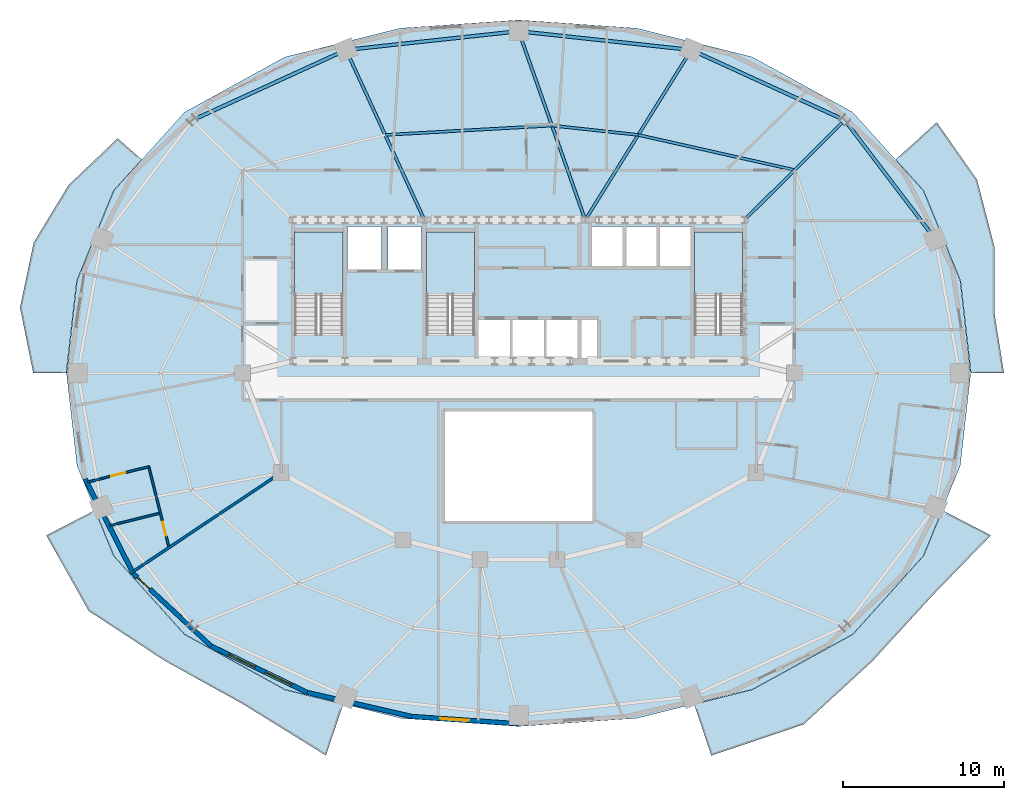
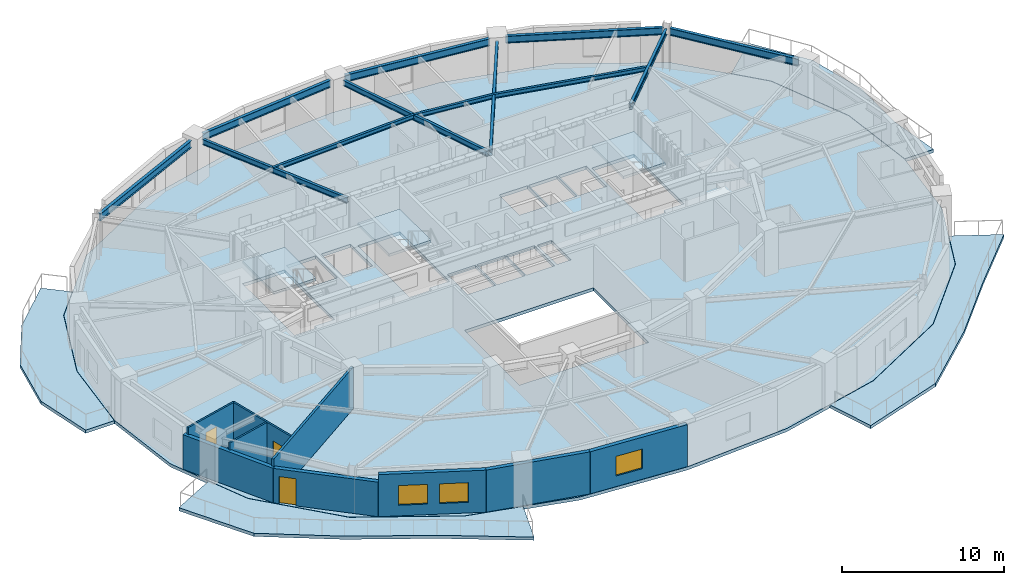
# One storey, part 3 of 10: 12 beams, 9 walls, 8 slabs, 3 doors, 3 windows, 6 openings, 3 elements without a shape of their own.
"""IFC4 building model written with IfcOpenShell, lengths in metres."""

from ifc_helpers import new_model, si_unit, direction, frame, frame_2d, origin, origin_2d, place, context, subcontext, project, spatial, polyline, rectangle, i_section, outline, extrude, material, layer, layer_set, material_profile, profile_set, type_object, element, fill, aggregate, save


model = new_model("IFC4")

# Units and contexts
model_context = context("Model", 3, precision=1e-05, world=origin(), true_north=direction((0.0, 1.0)))
body_context = subcontext(model_context, "Body", "Model", "MODEL_VIEW")
ifc_project = project(units=[si_unit("LENGTHUNIT", "METRE"), si_unit("AREAUNIT", "SQUARE_METRE"), si_unit("VOLUMEUNIT", "CUBIC_METRE"), si_unit("PLANEANGLEUNIT", "RADIAN"), si_unit("MASSUNIT", "GRAM", prefix="KILO")], contexts=[model_context])

# Site, building, storey
site_placement = place(None, origin())
site = spatial("IfcSite", under=ifc_project, at=site_placement, CompositionType="ELEMENT")
building_placement = place(site_placement, origin())
building = spatial("IfcBuilding", under=site, at=building_placement, Name="Haldorwick Loom Tower", CompositionType="ELEMENT")
storey_placement = place(building_placement, frame((0.0, 0.0, 196.89990234375)))
storey = spatial("IfcBuildingStorey", under=building, at=storey_placement, Name="L53", CompositionType="ELEMENT", Elevation=196.89990234375)

# Beams
ifc_material_1 = material(Name="Steel CSA G40.21 350W", Category="steel")
ifc_material_profile_1 = material_profile(ifc_material_1, i_section(OverallWidth=0.166015625, OverallDepth=0.31298828125, WebThickness=0.006591796875, FlangeThickness=0.01123046875, at=origin_2d()), Name="W310X45", Category="steel")
ifc_profile_set_1 = profile_set([ifc_material_profile_1], Name="Steel CSA G40.21 350W")
beam_type_1 = type_object("IfcBeamType", Name="STR-BM-J310", PredefinedType="JOIST", material=ifc_profile_set_1)
beam_1_placement = place(storey_placement, frame((53.19384765625, 38.657470703125, 3.013671875), z_axis=(-0.975700785876, 0.219107225898, 0.0), x_axis=(-0.219107225898, -0.975700785876, 0.0)))
element("IfcBeam", 1, at=beam_1_placement, inside=storey, type_object=beam_type_1, Name="L53 Mid-Bay Secondary Joist 3", PredefinedType="JOIST", context=body_context, shape_type="SweptSolid", body=[
    extrude(i_section(OverallWidth=0.166015625, OverallDepth=0.31298828125, WebThickness=0.006591796875, FlangeThickness=0.01123046875, at=origin_2d()), origin(), (0.0, 0.0, 1.0), 9.98486328125),
])
beam_2_placement = place(storey_placement, frame((43.45166015625, 40.84521484375, 3.013671875), z_axis=(-0.994187082722, 0.107666357549, 0.0), x_axis=(-0.107666357549, -0.994187082722, 0.0)))
element("IfcBeam", 2, at=beam_2_placement, inside=storey, type_object=beam_type_1, Name="L53 Mid-Bay Secondary Joist 4", PredefinedType="JOIST", context=body_context, shape_type="SweptSolid", body=[
    extrude(i_section(OverallWidth=0.166015625, OverallDepth=0.31298828125, WebThickness=0.006591796875, FlangeThickness=0.01123046875, at=origin_2d()), origin(), (0.0, 0.0, 1.0), 5.408203125),
])
beam_3_placement = place(storey_placement, frame((38.074951171875, 41.427490234375, 3.013671875), z_axis=(-0.998432354117, -0.05597172726, 0.0), x_axis=(0.05597172726, -0.998432354117, 0.0)))
element("IfcBeam", 3, at=beam_3_placement, inside=storey, type_object=beam_type_1, Name="L53 Mid-Bay Secondary Joist 5", PredefinedType="JOIST", context=body_context, shape_type="SweptSolid", body=[
    extrude(i_section(OverallWidth=0.166015625, OverallDepth=0.31298828125, WebThickness=0.006591796875, FlangeThickness=0.01123046875, at=origin_2d()), origin(), (0.0, 0.0, 1.0), 10.403076171875),
])
ifc_material_profile_2 = material_profile(ifc_material_1, i_section(OverallWidth=0.179931640625, OverallDepth=0.4130859375, WebThickness=0.009765625, FlangeThickness=0.01611328125, at=origin_2d()), Name="W410X74", Category="steel")
ifc_profile_set_2 = profile_set([ifc_material_profile_2], Name="Steel CSA G40.21 350W")
beam_type_2 = type_object("IfcBeamType", Name="STR-BM-J410", PredefinedType="JOIST", material=ifc_profile_set_2)
beam_4_placement = place(storey_placement, frame((50.1962890625, 35.675537109375, 2.963623046875), z_axis=(0.708962390492, 0.70524628951, 0.0), x_axis=(-0.70524628951, 0.708962390492, 0.0)))
element("IfcBeam", 4, at=beam_4_placement, inside=storey, type_object=beam_type_2, Name="L53 Radial Floor Girder 3", PredefinedType="JOIST", context=body_context, shape_type="SweptSolid", body=[
    extrude(i_section(OverallWidth=0.179931640625, OverallDepth=0.4130859375, WebThickness=0.009765625, FlangeThickness=0.01611328125, at=origin_2d()), origin(), (0.0, 0.0, 1.0), 8.409423828125),
])
beam_5_placement = place(storey_placement, frame((40.244140625, 35.700927734375, 2.963623046875), z_axis=(0.529095323143, 0.848562395483, 0.0), x_axis=(-0.848562395483, 0.529095323143, 0.0)))
element("IfcBeam", 5, at=beam_5_placement, inside=storey, type_object=beam_type_2, Name="L53 Radial Floor Girder 4", PredefinedType="JOIST", context=body_context, shape_type="SweptSolid", body=[
    extrude(i_section(OverallWidth=0.179931640625, OverallDepth=0.4130859375, WebThickness=0.009765625, FlangeThickness=0.01611328125, at=origin_2d()), origin(), (0.0, 0.0, 1.0), 11.78271484375),
])
beam_6_placement = place(storey_placement, frame((40.0908203125, 35.7177734375, 2.963623046875), z_axis=(-0.332908014691, 0.942959306521, 0.0), x_axis=(-0.942959306521, -0.332908014691, 0.0)))
element("IfcBeam", 6, at=beam_6_placement, inside=storey, type_object=beam_type_2, Name="L53 Radial Floor Girder 5", PredefinedType="JOIST", context=body_context, shape_type="SweptSolid", body=[
    extrude(i_section(OverallWidth=0.179931640625, OverallDepth=0.4130859375, WebThickness=0.009765625, FlangeThickness=0.01611328125, at=origin_2d()), origin(), (0.0, 0.0, 1.0), 11.768310546875),
])
beam_7_placement = place(storey_placement, frame((30.055419921875, 35.711669921875, 2.963623046875), z_axis=(-0.418729142855, 0.908111174319, 0.0), x_axis=(-0.908111174319, -0.418729142855, 0.0)))
element("IfcBeam", 7, at=beam_7_placement, inside=storey, type_object=beam_type_2, Name="L53 Radial Floor Girder 6", PredefinedType="JOIST", context=body_context, shape_type="SweptSolid", body=[
    extrude(i_section(OverallWidth=0.179931640625, OverallDepth=0.4130859375, WebThickness=0.009765625, FlangeThickness=0.01611328125, at=origin_2d()), origin(), (0.0, 0.0, 1.0), 10.96435546875),
])
ifc_material_profile_3 = material_profile(ifc_material_1, i_section(OverallWidth=0.2119140625, OverallDepth=0.5439453125, WebThickness=0.01318359375, FlangeThickness=0.021240234375, at=origin_2d()), Name="W530X123", Category="steel")
ifc_profile_set_3 = profile_set([ifc_material_profile_3], Name="Steel CSA G40.21 350W")
beam_type_3 = type_object("IfcBeamType", Name="STR-BM-SP530", PredefinedType="SPANDREL", material=ifc_profile_set_3)
beam_8_placement = place(storey_placement, frame((61.646240234375, 34.75634765625, 2.898193359375), z_axis=(-0.605236944797, 0.796045376001, 0.0), x_axis=(-0.796045376001, -0.605236944797, 0.0)))
element("IfcBeam", 8, at=beam_8_placement, inside=storey, type_object=beam_type_3, Name="L53 Perimeter Spandrel 2", PredefinedType="SPANDREL", context=body_context, shape_type="SweptSolid", body=[
    extrude(i_section(OverallWidth=0.2119140625, OverallDepth=0.5439453125, WebThickness=0.01318359375, FlangeThickness=0.021240234375, at=origin_2d()), origin(), (0.0, 0.0, 1.0), 8.5791015625),
])
beam_9_placement = place(storey_placement, frame((56.113037109375, 41.8583984375, 2.898193359375), z_axis=(-0.909342182232, 0.416049030299, 0.0), x_axis=(-0.416049030299, -0.909342182232, 0.0)))
element("IfcBeam", 9, at=beam_9_placement, inside=storey, type_object=beam_type_3, Name="L53 Perimeter Spandrel 3", PredefinedType="SPANDREL", context=body_context, shape_type="SweptSolid", body=[
    extrude(i_section(OverallWidth=0.2119140625, OverallDepth=0.5439453125, WebThickness=0.01318359375, FlangeThickness=0.021240234375, at=origin_2d()), origin(), (0.0, 0.0, 1.0), 9.772705078125),
])
for number, where, z_axis, x_axis, name in (
    (10, (46.236328125, 46.196533203125, 2.898193359375), (-0.994187774205, 0.107659972233, 0.0), (-0.107659972233, -0.994187774205, 0.0), "L53 Perimeter Spandrel 4"),
    (11, (35.48291015625, 47.2490234375, 2.898193359375), (-0.994187774205, -0.107659972233, 0.0), (0.107659972233, -0.994187774205, 0.0), "L53 Perimeter Spandrel 5"),
):
    element("IfcBeam", number, at=place(storey_placement, frame(where, z_axis=z_axis, x_axis=x_axis)), inside=storey, type_object=beam_type_3, Name=name, PredefinedType="SPANDREL", context=body_context, shape_type="SweptSolid", body=[
        extrude(i_section(OverallWidth=0.2119140625, OverallDepth=0.5439453125, WebThickness=0.01318359375, FlangeThickness=0.021240234375, at=origin_2d()), origin(), (0.0, 0.0, 1.0), 9.776123046875),
    ])
beam_10_placement = place(storey_placement, frame((24.773681640625, 45.92431640625, 2.898193359375), z_axis=(-0.909342182232, -0.416049030299, 0.0), x_axis=(0.416049030299, -0.909342182232, 0.0)))
element("IfcBeam", 12, at=beam_10_placement, inside=storey, type_object=beam_type_3, Name="L53 Perimeter Spandrel 6", PredefinedType="SPANDREL", context=body_context, shape_type="SweptSolid", body=[
    extrude(i_section(OverallWidth=0.2119140625, OverallDepth=0.5439453125, WebThickness=0.01318359375, FlangeThickness=0.021240234375, at=origin_2d()), origin(), (0.0, 0.0, 1.0), 9.772705078125),
])

# Slabs
ifc_material_2 = material(Name="Concrete C40 (40 MPa)", Category="concrete")
ifc_layer_1 = layer(ifc_material_2, 0.239990234375, Name="Concrete C40 (40 MPa)", Category="concrete")
ifc_layer_set_1 = layer_set([ifc_layer_1], Name="Concrete C40 (40 MPa)")
slab_type_1 = type_object("IfcSlabType", Name="STR-SLB-BAL240", PredefinedType="FLOOR", material=ifc_layer_set_1)
slab_1_placement = place(storey_placement, frame((0.0, 0.0, -0.239990234375)))
element("IfcSlab", 13, at=slab_1_placement, inside=storey, type_object=slab_type_1, Name="L53 Sinusoidal Balcony Terrace BAL_SE", PredefinedType="FLOOR", context=body_context, shape_type="SweptSolid", body=[
    extrude(outline(polyline([(62.39208984375, 17.46142578125), (61.229736328125, 14.62060546875), (61.229248046875, 14.619384765625), (61.228515625, 14.6181640625), (61.227783203125, 14.6171875), (61.22705078125, 14.6162109375), (56.82373046875, 9.72998046875), (56.82275390625, 9.72900390625), (56.8212890625, 9.727783203125), (56.81982421875, 9.72705078125), (50.565673828125, 6.287109375), (50.564453125, 6.286376953125), (50.563232421875, 6.285888671875), (50.56201171875, 6.285400390625), (46.934326171875, 5.379638671875), (48.0029296875, 2.17919921875), (53.75341796875, 4.119873046875), (58.088134765625, 8.107666015625), (61.7333984375, 12.09521484375), (65.4248046875, 15.89599609375), (62.39208984375, 17.46142578125)])), origin(), (0.0, 0.0, 1.0), 0.239990234375),
])
slab_2_placement = place(storey_placement, frame((0.0, 0.0, -0.239990234375)))
element("IfcSlab", 14, at=slab_2_placement, inside=storey, type_object=slab_type_1, Name="L53 Sinusoidal Balcony Terrace BAL_SW", PredefinedType="FLOOR", context=body_context, shape_type="SweptSolid", body=[
    extrude(outline(polyline([(25.065673828125, 5.379638671875), (21.43798828125, 6.285400390625), (21.436767578125, 6.285888671875), (21.435546875, 6.286376953125), (21.434326171875, 6.287109375), (15.18017578125, 9.72705078125), (15.1787109375, 9.727783203125), (15.17724609375, 9.72900390625), (15.17626953125, 9.72998046875), (10.77294921875, 14.6162109375), (10.772216796875, 14.6171875), (10.771484375, 14.6181640625), (10.770751953125, 14.619384765625), (10.770263671875, 14.62060546875), (9.60791015625, 17.46142578125), (6.5751953125, 15.89599609375), (9.211181640625, 11.19287109375), (13.911865234375, 8.107666015625), (18.889404296875, 5.350830078125), (23.9970703125, 2.17919921875), (25.065673828125, 5.379638671875)])), origin(), (0.0, 0.0, 1.0), 0.239990234375),
])
slab_3_placement = place(storey_placement, frame((0.0, 0.0, -0.239990234375)))
element("IfcSlab", 15, at=slab_3_placement, inside=storey, type_object=slab_type_1, Name="L53 Sinusoidal Balcony Terrace BAL_WNW", PredefinedType="FLOOR", context=body_context, shape_type="SweptSolid", body=[
    extrude(outline(polyline([(7.818603515625, 26.0), (7.818603515625, 26.001708984375), (8.472412109375, 31.760986328125), (8.47265625, 31.762451171875), (8.472900390625, 31.763916015625), (8.473388671875, 31.76513671875), (10.770263671875, 37.37939453125), (10.770751953125, 37.380615234375), (10.771484375, 37.3818359375), (10.772216796875, 37.3828125), (10.77294921875, 37.3837890625), (12.51220703125, 39.31396484375), (11.021240234375, 40.63623046875), (7.961669921875, 37.720947265625), (5.794921875, 34.153564453125), (4.93603515625, 30.090576171875), (5.761962890625, 26.0), (7.818603515625, 26.0)])), origin(), (0.0, 0.0, 1.0), 0.239990234375),
])
slab_4_placement = place(storey_placement, frame((0.0, 0.0, -0.239990234375)))
element("IfcSlab", 16, at=slab_4_placement, inside=storey, type_object=slab_type_1, Name="L53 Sinusoidal Balcony Terrace BAL_ENE", PredefinedType="FLOOR", context=body_context, shape_type="SweptSolid", body=[
    extrude(outline(polyline([(59.48681640625, 39.315185546875), (61.22705078125, 37.3837890625), (61.227783203125, 37.3828125), (61.228515625, 37.3818359375), (61.229248046875, 37.380615234375), (61.229736328125, 37.37939453125), (63.526611328125, 31.76513671875), (63.527099609375, 31.763916015625), (63.52734375, 31.762451171875), (63.527587890625, 31.760986328125), (64.181396484375, 26.001708984375), (64.181396484375, 26.0), (66.238037109375, 26.0), (65.631103515625, 29.80029296875), (65.632568359375, 33.91552734375), (64.5576171875, 38.0595703125), (62.04931640625, 41.6318359375), (59.48681640625, 39.315185546875)])), origin(), (0.0, 0.0, 1.0), 0.239990234375),
])

# Stair, slab
stair_type = type_object("IfcStairType", Name="STR-STR-CORE", PredefinedType="HALF_TURN_STAIR", material=ifc_material_2)
stair_1_placement = place(storey_placement, origin())
stair_1 = element("IfcStair", 17, at=stair_1_placement, inside=storey, type_object=stair_type, Name="L53 Exit Stair ST-01", PredefinedType="HALF_TURN_STAIR")
ifc_layer_2 = layer(ifc_material_2, 0.199951171875, Name="Concrete C40 (40 MPa)", Category="concrete")
ifc_layer_set_2 = layer_set([ifc_layer_2], Name="Concrete C40 (40 MPa)")
slab_type_2 = type_object("IfcSlabType", Name="STR-SLB-LAND200", PredefinedType="LANDING", material=ifc_layer_set_2)
slab_5_placement = place(storey_placement, frame((0.0, 0.0, 1.525146484375)))
slab_5 = element("IfcSlab", 18, at=slab_5_placement, type_object=slab_type_2, Name="ST-01 landing 1", PredefinedType="LANDING", context=body_context, shape_type="SweptSolid", body=[
    extrude(outline(polyline([(25.050048828125, 30.919921875), (25.050048828125, 34.800048828125), (22.050048828125, 34.800048828125), (22.050048828125, 30.919921875), (25.050048828125, 30.919921875)])), origin(), (0.0, 0.0, 1.0), 0.199951171875),
])
aggregate(stair_1, [slab_5])

stair_2_placement = place(storey_placement, origin())
stair_2 = element("IfcStair", 19, at=stair_2_placement, inside=storey, type_object=stair_type, Name="L53 Exit Stair ST-02", PredefinedType="HALF_TURN_STAIR")
slab_6_placement = place(storey_placement, frame((0.0, 0.0, 1.525146484375)))
slab_6 = element("IfcSlab", 20, at=slab_6_placement, type_object=slab_type_2, Name="ST-02 landing 1", PredefinedType="LANDING", context=body_context, shape_type="SweptSolid", body=[
    extrude(outline(polyline([(49.949951171875, 30.919921875), (49.949951171875, 34.800048828125), (46.949951171875, 34.800048828125), (46.949951171875, 30.919921875), (49.949951171875, 30.919921875)])), origin(), (0.0, 0.0, 1.0), 0.199951171875),
])
aggregate(stair_2, [slab_6])

stair_3_placement = place(storey_placement, origin())
stair_3 = element("IfcStair", 21, at=stair_3_placement, inside=storey, type_object=stair_type, Name="L53 Exit Stair ST-03", PredefinedType="HALF_TURN_STAIR")
slab_7_placement = place(storey_placement, frame((0.0, 0.0, 1.525146484375)))
slab_7 = element("IfcSlab", 22, at=slab_7_placement, type_object=slab_type_2, Name="ST-03 landing 1", PredefinedType="LANDING", context=body_context, shape_type="SweptSolid", body=[
    extrude(outline(polyline([(33.25, 30.919921875), (33.25, 34.800048828125), (30.25, 34.800048828125), (30.25, 30.919921875), (33.25, 30.919921875)])), origin(), (0.0, 0.0, 1.0), 0.199951171875),
])
aggregate(stair_3, [slab_7])

# Slab
ifc_layer_3 = layer(ifc_material_2, 0.239990234375, Name="Concrete C40 (40 MPa)", Category="concrete")
ifc_layer_set_3 = layer_set([ifc_layer_3], Name="Concrete C40 (40 MPa)")
slab_type_3 = type_object("IfcSlabType", Name="STR-SLB-RES240", PredefinedType="FLOOR", material=ifc_layer_set_3)
slab_8_placement = place(storey_placement, frame((0.0, 0.0, -0.239990234375)))
element("IfcSlab", 23, at=slab_8_placement, inside=storey, type_object=slab_type_3, Name="L53 Residential Structural Floor Slab", PredefinedType="FLOOR", context=body_context, shape_type="SweptSolid", body=[
    extrude(outline(polyline([(56.812744140625, 9.739990234375), (61.2158203125, 14.626220703125), (63.5126953125, 20.240478515625), (64.16650390625, 26.0), (63.5126953125, 31.759521484375), (61.2158203125, 37.373779296875), (56.812744140625, 42.260009765625), (50.558349609375, 45.699951171875), (43.3720703125, 47.494384765625), (36.0, 48.0048828125), (28.6279296875, 47.494384765625), (21.441650390625, 45.699951171875), (15.187255859375, 42.260009765625), (10.7841796875, 37.373779296875), (8.4873046875, 31.759521484375), (7.83349609375, 26.0), (8.4873046875, 20.240478515625), (10.7841796875, 14.626220703125), (15.187255859375, 9.739990234375), (21.441650390625, 6.300048828125), (28.6279296875, 4.505615234375), (36.0, 3.9951171875), (43.3720703125, 4.505615234375), (50.558349609375, 6.300048828125), (56.812744140625, 9.739990234375)]), holes=[polyline([(31.39990234375, 16.800048828125), (31.39990234375, 23.60009765625), (40.60009765625, 23.60009765625), (40.60009765625, 16.800048828125), (31.39990234375, 16.800048828125)]), polyline([(33.5, 26.85009765625), (33.5, 29.35009765625), (35.5, 29.35009765625), (35.5, 26.85009765625), (33.5, 26.85009765625)]), polyline([(35.60009765625, 26.85009765625), (35.60009765625, 29.35009765625), (37.60009765625, 29.35009765625), (37.60009765625, 26.85009765625), (35.60009765625, 26.85009765625)]), polyline([(23.6201171875, 28.39990234375), (22.050048828125, 28.39990234375), (22.050048828125, 34.800048828125), (25.050048828125, 34.800048828125), (25.050048828125, 28.639892578125), (23.6201171875, 28.639892578125), (23.6201171875, 28.39990234375)]), polyline([(30.25, 28.39990234375), (30.25, 34.800048828125), (33.25, 34.800048828125), (33.25, 28.639892578125), (31.820068359375, 28.639892578125), (31.820068359375, 28.39990234375), (30.25, 28.39990234375)]), polyline([(25.35009765625, 32.449951171875), (25.35009765625, 35.14990234375), (27.449951171875, 35.14990234375), (27.449951171875, 32.449951171875), (25.35009765625, 32.449951171875)]), polyline([(29.949951171875, 32.449951171875), (27.85009765625, 32.449951171875), (27.85009765625, 35.14990234375), (29.949951171875, 35.14990234375), (29.949951171875, 32.449951171875)]), polyline([(37.699951171875, 26.85009765625), (37.699951171875, 29.35009765625), (39.699951171875, 29.35009765625), (39.699951171875, 26.85009765625), (37.699951171875, 26.85009765625)]), polyline([(39.89990234375, 26.89990234375), (39.89990234375, 29.300048828125), (40.89990234375, 29.300048828125), (40.89990234375, 26.89990234375), (39.89990234375, 26.89990234375)]), polyline([(46.949951171875, 28.39990234375), (46.949951171875, 34.800048828125), (49.949951171875, 34.800048828125), (49.949951171875, 28.639892578125), (48.52001953125, 28.639892578125), (48.52001953125, 28.39990234375), (46.949951171875, 28.39990234375)]), polyline([(40.550048828125, 32.64990234375), (40.550048828125, 35.14990234375), (42.550048828125, 35.14990234375), (42.550048828125, 32.64990234375), (40.550048828125, 32.64990234375)]), polyline([(42.64990234375, 32.64990234375), (42.64990234375, 35.14990234375), (44.64990234375, 35.14990234375), (44.64990234375, 32.64990234375), (42.64990234375, 32.64990234375)]), polyline([(44.75, 32.64990234375), (44.75, 35.14990234375), (46.75, 35.14990234375), (46.75, 32.64990234375), (44.75, 32.64990234375)])]), origin(), (0.0, 0.0, 1.0), 0.239990234375),
])

# Wall
ifc_material_3 = material(Name="Pressed Clay Face Brick and Insulated Masonry Backup Assembly", Category="masonry")
ifc_layer_4 = layer(ifc_material_3, 0.280029296875, Name="Pressed Clay Face Brick and Insulated Masonry Backup Assembly", Category="masonry")
ifc_layer_set_4 = layer_set([ifc_layer_4], Name="Pressed Clay Face Brick and Insulated Masonry Backup Assembly")
wall_type_1 = type_object("IfcWallType", Name="ARC-WL-EXT280", PredefinedType="STANDARD", material=ifc_layer_set_4)
wall_1_placement = place(storey_placement, frame((8.995849609375, 19.415283203125, 0.0), z_axis=(0.0, 0.0, 1.0), x_axis=(0.453032066879, -0.89149422117, 0.0)))
element("IfcWall", 24, at=wall_1_placement, inside=storey, type_object=wall_type_1, Name="L53 Brick Pier and Spandrel Wall 14", PredefinedType="STANDARD", context=body_context, shape_type="SweptSolid", body=[
    extrude(rectangle(XDim=6.618896484375, YDim=0.280029296875, at=frame_2d((3.3095703125, 0.0))), origin(), (0.0, 0.0, 1.0), 2.60107421875),
])

# Wall, opening, door
wall_2_placement = place(storey_placement, frame((11.994384765625, 13.5146484375, 0.0), z_axis=(0.0, 0.0, 1.0), x_axis=(0.731833707499, -0.681483253329, 0.0)))
wall_2 = element("IfcWall", 25, at=wall_2_placement, inside=storey, type_object=wall_type_1, Name="L53 Brick Pier and Spandrel Wall 15", PredefinedType="STANDARD", context=body_context, shape_type="SweptSolid", body=[
    extrude(rectangle(XDim=6.61865234375, YDim=0.280029296875, at=frame_2d((3.309326171875, 0.0))), origin(), (0.0, 0.0, 1.0), 2.60107421875),
])
opening_1_placement = place(wall_2_placement, frame((0.340087890625, 0.0, 0.0)))
opening_1 = element("IfcOpeningElement", 26, at=opening_1_placement, cuts=wall_2, Name="Opening D-BL11", PredefinedType="OPENING", context=body_context, shape_type="SweptSolid", body=[
    extrude(rectangle(XDim=1.080078125, YDim=2.0400390625, at=frame_2d((0.5400390625, 1.02001953125))), frame((0.0, 0.14990234375, 0.0), z_axis=(0.0, -1.0, 0.0), x_axis=(1.0, 0.0, 0.0)), (0.0, 0.0, 1.0), 0.300048828125),
])
ifc_material_4 = material(Name="Thermally Broken Anodized Aluminium Curtain Wall Framing", Category="aluminium")
door_type_1 = type_object("IfcDoorType", Name="ARC-DR-BAL110", OperationType="NOTDEFINED", PredefinedType="DOOR", material=ifc_material_4)
door_1_placement = place(opening_1_placement, origin())
door_1 = element("IfcDoor", 27, at=door_1_placement, inside=storey, type_object=door_type_1, Name="L53 Outdoor Terrace Door SLB-L53-BAL_SW", OperationType="SINGLE_SWING_LEFT", OverallHeight=2.0400390625, OverallWidth=1.080078125, PredefinedType="DOOR", context=body_context, shape_type="SweptSolid", body=[
    extrude(rectangle(XDim=1.080078125, YDim=2.0400390625, at=frame_2d((0.5400390625, 1.02001953125))), frame((0.0, 0.02490234375, 0.0), z_axis=(0.0, -1.0, 0.0), x_axis=(1.0, 0.0, 0.0)), (0.0, 0.0, 1.0), 0.050048828125),
])
fill(opening_1, door_1)

# Wall, openings, windows
wall_3_placement = place(storey_placement, frame((16.838134765625, 9.004150390625, 0.0), z_axis=(0.0, 0.0, 1.0), x_axis=(0.900371236029, -0.435122554381, 0.0)))
wall_3 = element("IfcWall", 28, at=wall_3_placement, inside=storey, type_object=wall_type_1, Name="L53 Brick Pier and Spandrel Wall 16", PredefinedType="STANDARD", context=body_context, shape_type="SweptSolid", body=[
    extrude(rectangle(XDim=6.6533203125, YDim=0.280029296875, at=frame_2d((3.32666015625, 0.0))), origin(), (0.0, 0.0, 1.0), 3.170166015625),
])
opening_2_placement = place(wall_3_placement, frame((1.234375, 0.0, 0.800048828125)))
opening_2 = element("IfcOpeningElement", 29, at=opening_2_placement, cuts=wall_3, Name="Opening W-01", PredefinedType="OPENING", context=body_context, shape_type="SweptSolid", body=[
    extrude(rectangle(XDim=1.800048828125, YDim=1.47998046875, at=frame_2d((0.89990234375, 0.739990234375))), frame((0.0, 0.14990234375, 0.0), z_axis=(0.0, -1.0, 0.0), x_axis=(1.0, 0.0, 0.0)), (0.0, 0.0, 1.0), 0.300048828125),
])
opening_3_placement = place(wall_3_placement, frame((3.75732421875, 0.0, 0.800048828125)))
opening_3 = element("IfcOpeningElement", 30, at=opening_3_placement, cuts=wall_3, Name="Opening W-01", PredefinedType="OPENING", context=body_context, shape_type="SweptSolid", body=[
    extrude(rectangle(XDim=1.800048828125, YDim=1.47998046875, at=frame_2d((0.89990234375, 0.739990234375))), frame((0.0, 0.14990234375, 0.0), z_axis=(0.0, -1.0, 0.0), x_axis=(1.0, 0.0, 0.0)), (0.0, 0.0, 1.0), 0.300048828125),
])
ifc_material_5 = material(Name="Triple-Glazed Low-E Argon Insulated Glazing Unit", Category="glass")
window_type = type_object("IfcWindowType", Name="ARC-WIN-W180", PartitioningType="SINGLE_PANEL", PredefinedType="WINDOW", material=ifc_material_5)
window_1_placement = place(opening_2_placement, origin())
window_1 = element("IfcWindow", 31, at=window_1_placement, inside=storey, type_object=window_type, Name="L53 Deep-Set Zone 7A Window 16", OverallHeight=1.47998046875, OverallWidth=1.800048828125, PartitioningType="SINGLE_PANEL", PredefinedType="WINDOW", context=body_context, shape_type="SweptSolid", body=[
    extrude(rectangle(XDim=1.800048828125, YDim=1.47998046875, at=frame_2d((0.89990234375, 0.739990234375))), frame((0.0, 0.030029296875, 0.0), z_axis=(0.0, -1.0, 0.0), x_axis=(1.0, 0.0, 0.0)), (0.0, 0.0, 1.0), 0.06005859375),
])
fill(opening_2, window_1)
window_2_placement = place(opening_3_placement, origin())
window_2 = element("IfcWindow", 32, at=window_2_placement, inside=storey, type_object=window_type, Name="L53 Deep-Set Zone 7A Window 16", OverallHeight=1.47998046875, OverallWidth=1.800048828125, PartitioningType="SINGLE_PANEL", PredefinedType="WINDOW", context=body_context, shape_type="SweptSolid", body=[
    extrude(rectangle(XDim=1.800048828125, YDim=1.47998046875, at=frame_2d((0.89990234375, 0.739990234375))), frame((0.0, 0.030029296875, 0.0), z_axis=(0.0, -1.0, 0.0), x_axis=(1.0, 0.0, 0.0)), (0.0, 0.0, 1.0), 0.06005859375),
])
fill(opening_3, window_2)

# Wall
wall_4_placement = place(storey_placement, frame((22.82861328125, 6.109130859375, 0.0), z_axis=(0.0, 0.0, 1.0), x_axis=(0.974557343474, -0.224138315065, 0.0)))
element("IfcWall", 33, at=wall_4_placement, inside=storey, type_object=wall_type_1, Name="L53 Brick Pier and Spandrel Wall 17", PredefinedType="STANDARD", context=body_context, shape_type="SweptSolid", body=[
    extrude(rectangle(XDim=6.676025390625, YDim=0.280029296875, at=frame_2d((3.337890625, 0.0))), origin(), (0.0, 0.0, 1.0), 3.170166015625),
])

# Wall, opening, window
wall_5_placement = place(storey_placement, frame((29.334716796875, 4.61279296875, 0.0), z_axis=(0.0, 0.0, 1.0), x_axis=(0.99764992135, -0.068517402386, 0.0)))
wall_5 = element("IfcWall", 34, at=wall_5_placement, inside=storey, type_object=wall_type_1, Name="L53 Brick Pier and Spandrel Wall 18", PredefinedType="STANDARD", context=body_context, shape_type="SweptSolid", body=[
    extrude(rectangle(XDim=6.680908203125, YDim=0.280029296875, at=frame_2d((3.34033203125, 0.0))), origin(), (0.0, 0.0, 1.0), 3.170166015625),
])
opening_4_placement = place(wall_5_placement, frame((1.780517578125, 0.0, 0.800048828125)))
opening_4 = element("IfcOpeningElement", 35, at=opening_4_placement, cuts=wall_5, Name="Opening W-01", PredefinedType="OPENING", context=body_context, shape_type="SweptSolid", body=[
    extrude(rectangle(XDim=1.800048828125, YDim=1.47998046875, at=frame_2d((0.89990234375, 0.739990234375))), frame((0.0, 0.14990234375, 0.0), z_axis=(0.0, -1.0, 0.0), x_axis=(1.0, 0.0, 0.0)), (0.0, 0.0, 1.0), 0.300048828125),
])
window_3_placement = place(opening_4_placement, origin())
window_3 = element("IfcWindow", 36, at=window_3_placement, inside=storey, type_object=window_type, Name="L53 Deep-Set Zone 7A Window 18", OverallHeight=1.47998046875, OverallWidth=1.800048828125, PartitioningType="SINGLE_PANEL", PredefinedType="WINDOW", context=body_context, shape_type="SweptSolid", body=[
    extrude(rectangle(XDim=1.800048828125, YDim=1.47998046875, at=frame_2d((0.89990234375, 0.739990234375))), frame((0.0, 0.030029296875, 0.0), z_axis=(0.0, -1.0, 0.0), x_axis=(1.0, 0.0, 0.0)), (0.0, 0.0, 1.0), 0.06005859375),
])
fill(opening_4, window_3)

# Wall
ifc_material_6 = material(Name="Fire-Rated Type X Gypsum Stud Assembly EI 60")
ifc_layer_5 = layer(ifc_material_6, 0.159912109375, Name="Fire-Rated Type X Gypsum Stud Assembly EI 60")
ifc_layer_set_5 = layer_set([ifc_layer_5], Name="Fire-Rated Type X Gypsum Stud Assembly EI 60")
wall_type_2 = type_object("IfcWallType", Name="ARC-WL-FIRE160", PredefinedType="PARTITIONING", material=ifc_layer_set_5)
wall_6_placement = place(storey_placement, frame((21.199951171875, 19.800048828125, 0.0), z_axis=(0.0, 0.0, 1.0), x_axis=(-0.831660500222, -0.555284442759, 0.0)))
element("IfcWall", 37, at=wall_6_placement, inside=storey, type_object=wall_type_2, Name="L53 Residential Fire Partition L53-ICR-10", PredefinedType="PARTITIONING", context=body_context, shape_type="SweptSolid", body=[
    extrude(rectangle(XDim=11.087158203125, YDim=0.159912109375, at=frame_2d((5.54345703125, 0.0))), origin(), (0.0, 0.0, 1.0), 3.155029296875),
])

# Wall, opening, door
ifc_material_7 = material(Name="Acoustic Gypsum Stud Assembly STC 55")
ifc_layer_6 = layer(ifc_material_7, 0.1201171875, Name="Acoustic Gypsum Stud Assembly STC 55")
ifc_layer_set_6 = layer_set([ifc_layer_6], Name="Acoustic Gypsum Stud Assembly STC 55")
wall_type_3 = type_object("IfcWallType", Name="ARC-WL-PART120", PredefinedType="PARTITIONING", material=ifc_layer_set_6)
wall_7_placement = place(storey_placement, frame((12.956298828125, 20.175048828125, 0.0), z_axis=(0.0, 0.0, 1.0), x_axis=(0.243402249166, -0.969925432753, 0.0)))
wall_7 = element("IfcWall", 38, at=wall_7_placement, inside=storey, type_object=wall_type_3, Name="L53 Unit 53A Interior Partition", PredefinedType="PARTITIONING", context=body_context, shape_type="SweptSolid", body=[
    extrude(rectangle(XDim=5.103515625, YDim=0.1201171875, at=frame_2d((2.5517578125, 0.0))), origin(), (0.0, 0.0, 1.0), 3.155029296875),
])
opening_5_placement = place(wall_7_placement, frame((3.553955078125, 0.0, 0.0)))
opening_5 = element("IfcOpeningElement", 39, at=opening_5_placement, cuts=wall_7, Name="Opening D-BT88", PredefinedType="OPENING", context=body_context, shape_type="SweptSolid", body=[
    extrude(rectangle(XDim=0.8798828125, YDim=2.02001953125, at=frame_2d((0.43994140625, 1.010009765625))), frame((0.0, 0.070068359375, 0.0), z_axis=(0.0, -1.0, 0.0), x_axis=(1.0, 0.0, 0.0)), (0.0, 0.0, 1.0), 0.14013671875),
])
ifc_material_8 = material(Name="Solid Core Birch Architectural Door")
door_type_2 = type_object("IfcDoorType", Name="ARC-DR-BATH88", OperationType="NOTDEFINED", PredefinedType="DOOR", material=ifc_material_8)
door_2_placement = place(opening_5_placement, origin())
door_2 = element("IfcDoor", 40, at=door_2_placement, inside=storey, type_object=door_type_2, Name="L53 Unit 53A Kitchen and Living Room to Unit 53A Bathroom Door", OperationType="SINGLE_SWING_RIGHT", OverallHeight=2.02001953125, OverallWidth=0.8798828125, PredefinedType="DOOR", context=body_context, shape_type="SweptSolid", body=[
    extrude(rectangle(XDim=0.8798828125, YDim=2.02001953125, at=frame_2d((0.43994140625, 1.010009765625))), frame((0.0, 0.02490234375, 0.0), z_axis=(0.0, -1.0, 0.0), x_axis=(1.0, 0.0, 0.0)), (0.0, 0.0, 1.0), 0.050048828125),
])
fill(opening_5, door_2)

wall_8_placement = place(storey_placement, frame((12.956298828125, 20.175048828125, 0.0), z_axis=(0.0, 0.0, 1.0), x_axis=(-0.969933765664, -0.243369041221, 0.0)))
wall_8 = element("IfcWall", 41, at=wall_8_placement, inside=storey, type_object=wall_type_3, Name="L53 Unit 53A Interior Partition", PredefinedType="PARTITIONING", context=body_context, shape_type="SweptSolid", body=[
    extrude(rectangle(XDim=3.928466796875, YDim=0.1201171875, at=frame_2d((1.96435546875, 0.0))), origin(), (0.0, 0.0, 1.0), 3.155029296875),
])
opening_6_placement = place(wall_8_placement, frame((1.51416015625, 0.0, 0.0)))
opening_6 = element("IfcOpeningElement", 42, at=opening_6_placement, cuts=wall_8, Name="Opening D-IN90", PredefinedType="OPENING", context=body_context, shape_type="SweptSolid", body=[
    extrude(rectangle(XDim=0.89990234375, YDim=2.0400390625, at=frame_2d((0.449951171875, 1.02001953125))), frame((0.0, 0.070068359375, 0.0), z_axis=(0.0, -1.0, 0.0), x_axis=(1.0, 0.0, 0.0)), (0.0, 0.0, 1.0), 0.14013671875),
])
door_type_3 = type_object("IfcDoorType", Name="ARC-DR-INT90", OperationType="NOTDEFINED", PredefinedType="DOOR", material=ifc_material_8)
door_3_placement = place(opening_6_placement, origin())
door_3 = element("IfcDoor", 43, at=door_3_placement, inside=storey, type_object=door_type_3, Name="L53 Unit 53A Bedroom 1 to Unit 53A Kitchen and Living Room Door", OperationType="SINGLE_SWING_RIGHT", OverallHeight=2.0400390625, OverallWidth=0.89990234375, PredefinedType="DOOR", context=body_context, shape_type="SweptSolid", body=[
    extrude(rectangle(XDim=0.89990234375, YDim=2.0400390625, at=frame_2d((0.449951171875, 1.02001953125))), frame((0.0, 0.02490234375, 0.0), z_axis=(0.0, -1.0, 0.0), x_axis=(1.0, 0.0, 0.0)), (0.0, 0.0, 1.0), 0.050048828125),
])
fill(opening_6, door_3)

# Wall
wall_9_placement = place(storey_placement, frame((13.61962890625, 17.273193359375, 0.0), z_axis=(0.0, 0.0, 1.0), x_axis=(-0.969921254659, -0.243418897705, 0.0)))
element("IfcWall", 44, at=wall_9_placement, inside=storey, type_object=wall_type_3, Name="L53 Unit 53A Interior Partition", PredefinedType="PARTITIONING", context=body_context, shape_type="SweptSolid", body=[
    extrude(rectangle(XDim=3.1865234375, YDim=0.1201171875, at=frame_2d((1.59326171875, 0.0))), origin(), (0.0, 0.0, 1.0), 3.155029296875),
])

save(model, "model.ifc")
